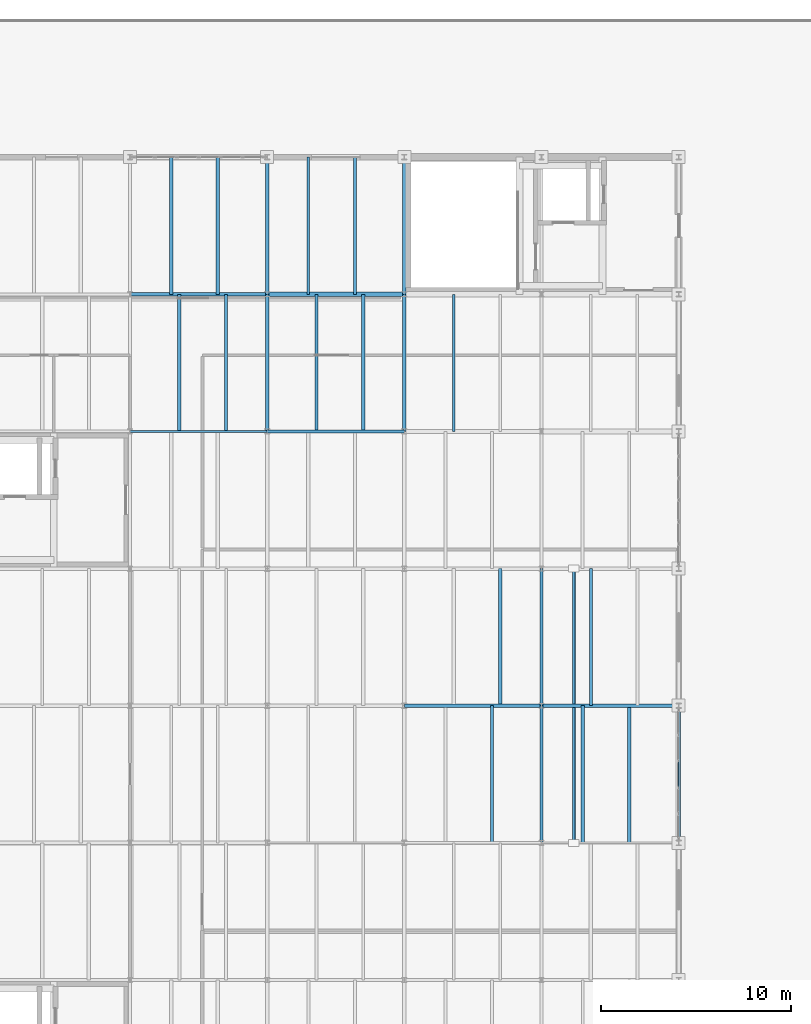
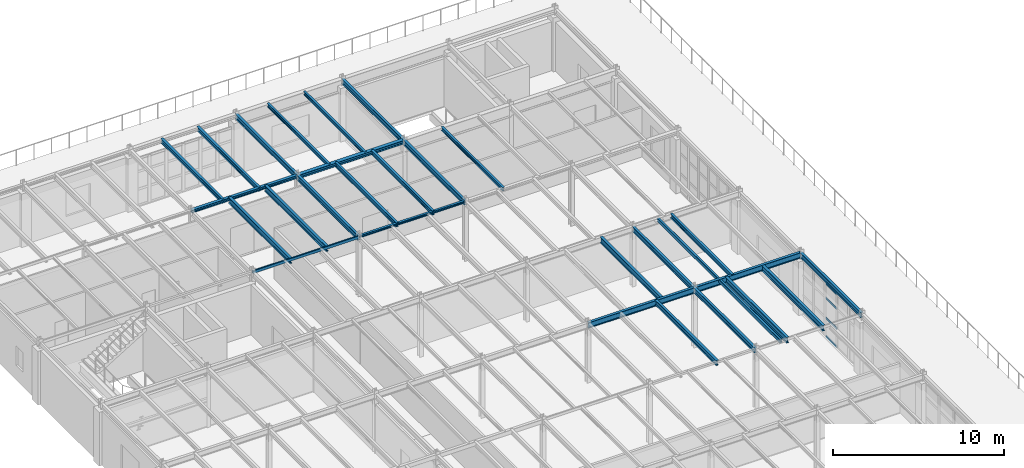
# One storey, part 21 of 36: 28 beams, 4 members, 1 element without a shape of its own.
"""IFC4 building model written with IfcOpenShell, lengths in metres."""

from ifc_helpers import new_model, si_unit, direction, frame, origin, origin_2d, place, context, subcontext, project, spatial, hollow_rectangle, i_section, extrude, material, layer, layer_set, material_profile, profile_set, type_object, element, aggregate, save


model = new_model("IFC4")

# Units and contexts
model_context = context("Model", 3, precision=1e-05, world=origin(), true_north=direction((0.0, 1.0)))
body_context = subcontext(model_context, "Body", "Model", "MODEL_VIEW")
ifc_project = project(units=[si_unit("LENGTHUNIT", "METRE"), si_unit("AREAUNIT", "SQUARE_METRE"), si_unit("VOLUMEUNIT", "CUBIC_METRE"), si_unit("PLANEANGLEUNIT", "RADIAN"), si_unit("MASSUNIT", "GRAM", prefix="KILO")], contexts=[model_context])

# Site, building, storey
site_placement = place(None, origin())
site = spatial("IfcSite", under=ifc_project, at=site_placement, CompositionType="ELEMENT")
building_placement = place(site_placement, origin())
building = spatial("IfcBuilding", under=site, at=building_placement, Name="Kemerveld Promenade Tramway Depot", CompositionType="ELEMENT")
storey_placement = place(building_placement, frame((0.0, 0.0, 14.39990234375)))
storey = spatial("IfcBuildingStorey", under=building, at=storey_placement, Name="L03", CompositionType="ELEMENT", Elevation=14.39990234375)

# Beams
ifc_material_1 = material(Name="Steel S355", Category="steel")
ifc_material_profile_1 = material_profile(ifc_material_1, i_section(OverallWidth=0.1787109375, OverallDepth=0.409423828125, WebThickness=0.0087890625, FlangeThickness=0.014404296875, FilletRadius=0.01025390625, at=origin_2d()), Name="406x178x67 UB")
ifc_profile_set_1 = profile_set([ifc_material_profile_1], Name="Steel S355")
beam_type_1 = type_object("IfcBeamType", Name="BM-G07", PredefinedType="BEAM", material=ifc_profile_set_1)
for number, where, z_axis, x_axis, name in (
    (1, (28.800048828125, 36.0, 4.080322265625), (1.0, 0.0, 0.0), (0.0, 1.0, 0.0), "BMX-L03-05-06-F"),
    (2, (36.0, 36.0, 4.080322265625), (1.0, 0.0, 0.0), (0.0, 1.0, 0.0), "BMX-L03-06-07-F"),
):
    element("IfcBeam", number, at=place(storey_placement, frame(where, z_axis=z_axis, x_axis=x_axis)), inside=storey, type_object=beam_type_1, Name=name, PredefinedType="BEAM", context=body_context, shape_type="SweptSolid", body=[
        extrude(i_section(OverallWidth=0.1787109375, OverallDepth=0.409423828125, WebThickness=0.0087890625, FlangeThickness=0.014404296875, FilletRadius=0.01025390625, at=origin_2d()), origin(), (0.0, 0.0, 1.0), 7.199951171875),
    ])
ifc_material_profile_2 = material_profile(ifc_material_1, i_section(OverallWidth=0.172119140625, OverallDepth=0.35791015625, WebThickness=0.008056640625, FlangeThickness=0.012939453125, FilletRadius=0.01025390625, at=origin_2d()), Name="356x171x57 UB")
ifc_profile_set_2 = profile_set([ifc_material_profile_2], Name="Steel S355")
beam_type_2 = type_object("IfcBeamType", Name="BM-G08", PredefinedType="BEAM", material=ifc_profile_set_2)
beam_1_placement = place(storey_placement, frame((21.60009765625, 50.39990234375, 4.106201171875), z_axis=(0.0, 1.0, 0.0), x_axis=(-1.0, 0.0, 0.0)))
element("IfcBeam", 3, at=beam_1_placement, inside=storey, type_object=beam_type_2, Name="BMY-L03-04-H-J", PredefinedType="BEAM", context=body_context, shape_type="SweptSolid", body=[
    extrude(i_section(OverallWidth=0.172119140625, OverallDepth=0.35791015625, WebThickness=0.008056640625, FlangeThickness=0.012939453125, FilletRadius=0.01025390625, at=origin_2d()), origin(), (0.0, 0.0, 1.0), 7.2001953125),
])
beam_2_placement = place(storey_placement, frame((21.60009765625, 57.60009765625, 4.106201171875), z_axis=(0.0, 1.0, 0.0), x_axis=(-1.0, 0.0, 0.0)))
element("IfcBeam", 4, at=beam_2_placement, inside=storey, type_object=beam_type_2, Name="BMY-L03-04-J-K", PredefinedType="BEAM", context=body_context, shape_type="SweptSolid", body=[
    extrude(i_section(OverallWidth=0.172119140625, OverallDepth=0.35791015625, WebThickness=0.008056640625, FlangeThickness=0.012939453125, FilletRadius=0.01025390625, at=origin_2d()), origin(), (0.0, 0.0, 1.0), 7.199951171875),
])
beam_3_placement = place(storey_placement, frame((28.800048828125, 50.39990234375, 4.106201171875), z_axis=(0.0, 1.0, 0.0), x_axis=(-1.0, 0.0, 0.0)))
element("IfcBeam", 5, at=beam_3_placement, inside=storey, type_object=beam_type_2, Name="BMY-L03-05-H-J", PredefinedType="BEAM", context=body_context, shape_type="SweptSolid", body=[
    extrude(i_section(OverallWidth=0.172119140625, OverallDepth=0.35791015625, WebThickness=0.008056640625, FlangeThickness=0.012939453125, FilletRadius=0.01025390625, at=origin_2d()), origin(), (0.0, 0.0, 1.0), 7.2001953125),
])
for number, where, z_axis, x_axis, name in (
    (6, (28.800048828125, 57.60009765625, 4.106201171875), (0.0, 1.0, 0.0), (-1.0, 0.0, 0.0), "BMY-L03-05-J-K"),
    (7, (36.0, 28.800048828125, 4.106201171875), (0.0, 1.0, 0.0), (-1.0, 0.0, 0.0), "BMY-L03-06-E-F"),
    (8, (36.0, 36.0, 4.106201171875), (0.0, 1.0, 0.0), (-1.0, 0.0, 0.0), "BMY-L03-06-F-G"),
    (9, (43.199951171875, 28.800048828125, 4.106201171875), (0.0, 1.0, 0.0), (-1.0, 0.0, 0.0), "BMY-L03-07-E-F"),
):
    element("IfcBeam", number, at=place(storey_placement, frame(where, z_axis=z_axis, x_axis=x_axis)), inside=storey, type_object=beam_type_2, Name=name, PredefinedType="BEAM", context=body_context, shape_type="SweptSolid", body=[
        extrude(i_section(OverallWidth=0.172119140625, OverallDepth=0.35791015625, WebThickness=0.008056640625, FlangeThickness=0.012939453125, FilletRadius=0.01025390625, at=origin_2d()), origin(), (0.0, 0.0, 1.0), 7.199951171875),
    ])
ifc_material_profile_3 = material_profile(ifc_material_1, i_section(OverallWidth=0.165771484375, OverallDepth=0.306640625, WebThickness=0.006591796875, FlangeThickness=0.01171875, FilletRadius=0.0087890625, at=origin_2d()), Name="305x165x46 UB")
ifc_profile_set_3 = profile_set([ifc_material_profile_3], Name="Steel S355")
beam_type_3 = type_object("IfcBeamType", Name="BM-J01", PredefinedType="JOIST", material=ifc_profile_set_3)
for number, where, z_axis, x_axis, name in (
    (10, (16.56005859375, 57.60009765625, 4.1318359375), (0.0, 1.0, 0.0), (-1.0, 0.0, 0.0), "JST-L03-03-J-1"),
    (11, (19.008056640625, 57.60009765625, 4.1318359375), (0.0, 1.0, 0.0), (-1.0, 0.0, 0.0), "JST-L03-03-J-2"),
):
    element("IfcBeam", number, at=place(storey_placement, frame(where, z_axis=z_axis, x_axis=x_axis)), inside=storey, type_object=beam_type_3, Name=name, PredefinedType="JOIST", context=body_context, shape_type="SweptSolid", body=[
        extrude(i_section(OverallWidth=0.165771484375, OverallDepth=0.306640625, WebThickness=0.006591796875, FlangeThickness=0.01171875, FilletRadius=0.0087890625, at=origin_2d()), origin(), (0.0, 0.0, 1.0), 7.199951171875),
    ])
for number, where, z_axis, x_axis, name in (
    (12, (24.19189453125, 50.39990234375, 4.1318359375), (0.0, 1.0, 0.0), (-1.0, 0.0, 0.0), "JST-L03-04-H-1"),
    (13, (26.639892578125, 50.39990234375, 4.1318359375), (0.0, 1.0, 0.0), (-1.0, 0.0, 0.0), "JST-L03-04-H-2"),
):
    element("IfcBeam", number, at=place(storey_placement, frame(where, z_axis=z_axis, x_axis=x_axis)), inside=storey, type_object=beam_type_3, Name=name, PredefinedType="JOIST", context=body_context, shape_type="SweptSolid", body=[
        extrude(i_section(OverallWidth=0.165771484375, OverallDepth=0.306640625, WebThickness=0.006591796875, FlangeThickness=0.01171875, FilletRadius=0.0087890625, at=origin_2d()), origin(), (0.0, 0.0, 1.0), 7.2001953125),
    ])
beam_4_placement = place(storey_placement, frame((38.592041015625, 36.0, 4.1318359375), z_axis=(0.0, 1.0, 0.0), x_axis=(-1.0, 0.0, 0.0)))
element("IfcBeam", 14, at=beam_4_placement, inside=storey, type_object=beam_type_3, Name="JST-L03-06-F-1", PredefinedType="JOIST", context=body_context, shape_type="SweptSolid", body=[
    extrude(i_section(OverallWidth=0.165771484375, OverallDepth=0.306640625, WebThickness=0.006591796875, FlangeThickness=0.01171875, FilletRadius=0.0087890625, at=origin_2d()), origin(), (0.0, 0.0, 1.0), 7.199951171875),
])
ifc_material_profile_4 = material_profile(ifc_material_1, i_section(OverallWidth=0.146484375, OverallDepth=0.256103515625, WebThickness=0.00634765625, FlangeThickness=0.010986328125, FilletRadius=0.007568359375, at=origin_2d()), Name="254x146x37 UB")
ifc_profile_set_4 = profile_set([ifc_material_profile_4], Name="Steel S355")
beam_type_4 = type_object("IfcBeamType", Name="BM-J02", PredefinedType="JOIST", material=ifc_profile_set_4)
for number, where, z_axis, x_axis, name in (
    (15, (23.760009765625, 57.60009765625, 4.156982421875), (0.0, 1.0, 0.0), (-1.0, 0.0, 0.0), "JST-L03-04-J-1"),
    (16, (26.2080078125, 57.60009765625, 4.156982421875), (0.0, 1.0, 0.0), (-1.0, 0.0, 0.0), "JST-L03-04-J-2"),
):
    element("IfcBeam", number, at=place(storey_placement, frame(where, z_axis=z_axis, x_axis=x_axis)), inside=storey, type_object=beam_type_4, Name=name, PredefinedType="JOIST", context=body_context, shape_type="SweptSolid", body=[
        extrude(i_section(OverallWidth=0.146484375, OverallDepth=0.256103515625, WebThickness=0.00634765625, FlangeThickness=0.010986328125, FilletRadius=0.007568359375, at=origin_2d()), origin(), (0.0, 0.0, 1.0), 7.199951171875),
    ])
beam_5_placement = place(storey_placement, frame((31.39208984375, 50.39990234375, 4.156982421875), z_axis=(0.0, 1.0, 0.0), x_axis=(-1.0, 0.0, 0.0)))
element("IfcBeam", 17, at=beam_5_placement, inside=storey, type_object=beam_type_4, Name="JST-L03-05-H-1", PredefinedType="JOIST", context=body_context, shape_type="SweptSolid", body=[
    extrude(i_section(OverallWidth=0.146484375, OverallDepth=0.256103515625, WebThickness=0.00634765625, FlangeThickness=0.010986328125, FilletRadius=0.007568359375, at=origin_2d()), origin(), (0.0, 0.0, 1.0), 7.2001953125),
])
ifc_material_profile_5 = material_profile(ifc_material_1, i_section(OverallWidth=0.172119140625, OverallDepth=0.35791015625, WebThickness=0.008056640625, FlangeThickness=0.012939453125, FilletRadius=0.01025390625, at=origin_2d()), Name="356x171x57 UB")
ifc_profile_set_5 = profile_set([ifc_material_profile_5], Name="Steel S355")
beam_type_5 = type_object("IfcBeamType", Name="BM-J04", PredefinedType="JOIST", material=ifc_profile_set_5)
beam_6_placement = place(storey_placement, frame((33.407958984375, 28.800048828125, 4.106201171875), z_axis=(0.0, 1.0, 0.0), x_axis=(-1.0, 0.0, 0.0)))
element("IfcBeam", 18, at=beam_6_placement, inside=storey, type_object=beam_type_5, Name="JST-L03-05-E-2", PredefinedType="JOIST", context=body_context, shape_type="SweptSolid", body=[
    extrude(i_section(OverallWidth=0.172119140625, OverallDepth=0.35791015625, WebThickness=0.008056640625, FlangeThickness=0.012939453125, FilletRadius=0.01025390625, at=origin_2d()), origin(), (0.0, 0.0, 1.0), 7.199951171875),
])
ifc_material_profile_6 = material_profile(ifc_material_1, i_section(OverallWidth=0.1787109375, OverallDepth=0.409423828125, WebThickness=0.0087890625, FlangeThickness=0.014404296875, FilletRadius=0.01025390625, at=origin_2d()), Name="406x178x67 UB")
ifc_profile_set_6 = profile_set([ifc_material_profile_6], Name="Steel S355")
beam_type_6 = type_object("IfcBeamType", Name="BM-J05", PredefinedType="JOIST", material=ifc_profile_set_6)
for number, where, z_axis, x_axis, name in (
    (19, (16.991943359375, 50.39990234375, 4.080322265625), (0.0, 1.0, 0.0), (-1.0, 0.0, 0.0), "JST-L03-03-H-1"),
    (20, (19.43994140625, 50.39990234375, 4.080322265625), (0.0, 1.0, 0.0), (-1.0, 0.0, 0.0), "JST-L03-03-H-2"),
):
    element("IfcBeam", number, at=place(storey_placement, frame(where, z_axis=z_axis, x_axis=x_axis)), inside=storey, type_object=beam_type_6, Name=name, PredefinedType="JOIST", context=body_context, shape_type="SweptSolid", body=[
        extrude(i_section(OverallWidth=0.1787109375, OverallDepth=0.409423828125, WebThickness=0.0087890625, FlangeThickness=0.014404296875, FilletRadius=0.01025390625, at=origin_2d()), origin(), (0.0, 0.0, 1.0), 7.2001953125),
    ])
for number, where, z_axis, x_axis, name in (
    (21, (33.840087890625, 36.0, 4.080322265625), (0.0, 1.0, 0.0), (-1.0, 0.0, 0.0), "JST-L03-05-F-2"),
    (22, (38.159912109375, 28.800048828125, 4.080322265625), (0.0, 1.0, 0.0), (-1.0, 0.0, 0.0), "JST-L03-06-E-1"),
    (23, (40.60791015625, 28.800048828125, 4.080322265625), (0.0, 1.0, 0.0), (-1.0, 0.0, 0.0), "JST-L03-06-E-2"),
):
    element("IfcBeam", number, at=place(storey_placement, frame(where, z_axis=z_axis, x_axis=x_axis)), inside=storey, type_object=beam_type_6, Name=name, PredefinedType="JOIST", context=body_context, shape_type="SweptSolid", body=[
        extrude(i_section(OverallWidth=0.1787109375, OverallDepth=0.409423828125, WebThickness=0.0087890625, FlangeThickness=0.014404296875, FilletRadius=0.01025390625, at=origin_2d()), origin(), (0.0, 0.0, 1.0), 7.199951171875),
    ])
ifc_material_profile_7 = material_profile(ifc_material_1, hollow_rectangle(XDim=0.10009765625, YDim=0.199951171875, WallThickness=0.008056640625, InnerFilletRadius=0.00390625, OuterFilletRadius=0.011962890625, at=origin_2d()), Name="200x100x8.0 RHS")
ifc_profile_set_7 = profile_set([ifc_material_profile_7], Name="Steel S355")
beam_type_7 = type_object("IfcBeamType", Name="BM-LN1", PredefinedType="LINTEL", material=ifc_profile_set_7)
beam_7_placement = place(storey_placement, frame((14.39990234375, 50.39990234375, 4.18017578125), z_axis=(1.0, 0.0, 0.0), x_axis=(0.0, 1.0, 0.0)))
element("IfcBeam", 24, at=beam_7_placement, inside=storey, type_object=beam_type_7, Name="BMX-L03-03-04-H", PredefinedType="LINTEL", context=body_context, shape_type="SweptSolid", body=[
    extrude(hollow_rectangle(XDim=0.10009765625, YDim=0.199951171875, WallThickness=0.008056640625, InnerFilletRadius=0.00390625, OuterFilletRadius=0.011962890625, at=origin_2d()), origin(), (0.0, 0.0, 1.0), 7.2001953125),
])
ifc_material_profile_8 = material_profile(ifc_material_1, i_section(OverallWidth=0.154296875, OverallDepth=0.161865234375, WebThickness=0.008056640625, FlangeThickness=0.011474609375, FilletRadius=0.007568359375, at=origin_2d()), Name="152x152x37 UC")
ifc_profile_set_8 = profile_set([ifc_material_profile_8], Name="Steel S355")
beam_type_8 = type_object("IfcBeamType", Name="BM-LN2", PredefinedType="LINTEL", material=ifc_profile_set_8)
beam_8_placement = place(storey_placement, frame((21.60009765625, 50.39990234375, 4.2041015625), z_axis=(1.0, 0.0, 0.0), x_axis=(0.0, 1.0, 0.0)))
element("IfcBeam", 25, at=beam_8_placement, inside=storey, type_object=beam_type_8, Name="BMX-L03-04-05-H", PredefinedType="LINTEL", context=body_context, shape_type="SweptSolid", body=[
    extrude(i_section(OverallWidth=0.154296875, OverallDepth=0.161865234375, WebThickness=0.008056640625, FlangeThickness=0.011474609375, FilletRadius=0.007568359375, at=origin_2d()), origin(), (0.0, 0.0, 1.0), 7.199951171875),
])
ifc_material_profile_9 = material_profile(ifc_material_1, i_section(OverallWidth=0.205810546875, OverallDepth=0.209716796875, WebThickness=0.009521484375, FlangeThickness=0.01416015625, FilletRadius=0.01025390625, at=origin_2d()), Name="203x203x60 UC")
ifc_profile_set_9 = profile_set([ifc_material_profile_9], Name="Steel S355")
beam_type_9 = type_object("IfcBeamType", Name="BM-LN3", PredefinedType="LINTEL", material=ifc_profile_set_9)
beam_9_placement = place(storey_placement, frame((14.39990234375, 57.60009765625, 4.18017578125), z_axis=(1.0, 0.0, 0.0), x_axis=(0.0, 1.0, 0.0)))
element("IfcBeam", 26, at=beam_9_placement, inside=storey, type_object=beam_type_9, Name="BMX-L03-03-04-J", PredefinedType="LINTEL", context=body_context, shape_type="SweptSolid", body=[
    extrude(i_section(OverallWidth=0.205810546875, OverallDepth=0.209716796875, WebThickness=0.009521484375, FlangeThickness=0.01416015625, FilletRadius=0.01025390625, at=origin_2d()), origin(), (0.0, 0.0, 1.0), 7.2001953125),
])
ifc_material_profile_10 = material_profile(ifc_material_1, i_section(OverallWidth=0.25634765625, OverallDepth=0.26025390625, WebThickness=0.01025390625, FlangeThickness=0.017333984375, FilletRadius=0.0126953125, at=origin_2d()), Name="254x254x89 UC")
ifc_profile_set_10 = profile_set([ifc_material_profile_10], Name="Steel S355")
beam_type_10 = type_object("IfcBeamType", Name="BM-LN4", PredefinedType="LINTEL", material=ifc_profile_set_10)
beam_10_placement = place(storey_placement, frame((21.60009765625, 57.60009765625, 4.15478515625), z_axis=(1.0, 0.0, 0.0), x_axis=(0.0, 1.0, 0.0)))
element("IfcBeam", 27, at=beam_10_placement, inside=storey, type_object=beam_type_10, Name="BMX-L03-04-05-J", PredefinedType="LINTEL", context=body_context, shape_type="SweptSolid", body=[
    extrude(i_section(OverallWidth=0.25634765625, OverallDepth=0.26025390625, WebThickness=0.01025390625, FlangeThickness=0.017333984375, FilletRadius=0.0126953125, at=origin_2d()), origin(), (0.0, 0.0, 1.0), 7.199951171875),
])
ifc_material_profile_11 = material_profile(ifc_material_1, hollow_rectangle(XDim=0.14990234375, YDim=0.25, WallThickness=0.010009765625, InnerFilletRadius=0.0048828125, OuterFilletRadius=0.014892578125, at=origin_2d()), Name="250x150x10.0 RHS")
ifc_profile_set_11 = profile_set([ifc_material_profile_11], Name="Steel S355")
beam_type_11 = type_object("IfcBeamType", Name="BM-SP2", PredefinedType="SPANDREL", material=ifc_profile_set_11)
beam_11_placement = place(storey_placement, frame((37.699951171875, 28.800048828125, 4.155029296875), z_axis=(0.0, 1.0, 0.0), x_axis=(-1.0, 0.0, 0.0)))
element("IfcBeam", 28, at=beam_11_placement, inside=storey, type_object=beam_type_11, Name="BM-CUMBA-EDGE", PredefinedType="SPANDREL", context=body_context, shape_type="SweptSolid", body=[
    extrude(hollow_rectangle(XDim=0.14990234375, YDim=0.25, WallThickness=0.010009765625, InnerFilletRadius=0.0048828125, OuterFilletRadius=0.014892578125, at=origin_2d()), origin(), (0.0, 0.0, 1.0), 14.39990234375),
])

# Curtain wall, members
ifc_material_2 = material(Name="Bronze anodised aluminium and solar glass", Category="aluminium")
ifc_layer = layer(ifc_material_2, 0.199951171875)
ifc_layer_set = layer_set([ifc_layer], Name="CW-SYS-08")
curtain_wall_type = type_object("IfcCurtainWallType", Name="CW-SYS-08", PredefinedType="USERDEFINED", material=ifc_layer_set)
curtain_wall_placement = place(storey_placement, origin())
curtain_wall = element("IfcCurtainWall", 29, at=curtain_wall_placement, inside=storey, type_object=curtain_wall_type, Name="CW-L03-V5E-05", ObjectType="GLAZED_CURTAIN_WALL", PredefinedType="USERDEFINED")
ifc_material_3 = material(Name="Bronze anodised aluminium", Category="aluminium")
ifc_material_profile_12 = material_profile(ifc_material_3, hollow_rectangle(XDim=0.06494140625, YDim=0.14990234375, WallThickness=0.00439453125, InnerFilletRadius=0.001953125, OuterFilletRadius=0.00439453125, at=origin_2d()), Name="CW-TRN-150x65")
ifc_profile_set_12 = profile_set([ifc_material_profile_12], Name="Bronze anodised aluminium")
member_type = type_object("IfcMemberType", Name="CW-TRN-B", PredefinedType="USERDEFINED", material=ifc_profile_set_12)
member_1_placement = place(storey_placement, frame((43.199951171875, 33.052490234375, 0.03271484375), z_axis=(0.0, -1.0, 0.0), x_axis=(1.0, 0.0, 0.0)))
member_1 = element("IfcMember", 30, at=member_1_placement, type_object=member_type, Name="CW08 transom 3.1", ObjectType="TRANSOM", PredefinedType="USERDEFINED", context=body_context, shape_type="SweptSolid", body=[
    extrude(hollow_rectangle(XDim=0.06494140625, YDim=0.14990234375, WallThickness=0.00439453125, InnerFilletRadius=0.001953125, OuterFilletRadius=0.00439453125, at=origin_2d()), origin(), (0.0, 0.0, 1.0), 1.304931640625),
])
member_2_placement = place(storey_placement, frame((43.199951171875, 33.052490234375, 1.34814453125), z_axis=(0.0, -1.0, 0.0), x_axis=(1.0, 0.0, 0.0)))
member_2 = element("IfcMember", 31, at=member_2_placement, type_object=member_type, Name="CW08 transom 3.2", ObjectType="TRANSOM", PredefinedType="USERDEFINED", context=body_context, shape_type="SweptSolid", body=[
    extrude(hollow_rectangle(XDim=0.06494140625, YDim=0.14990234375, WallThickness=0.00439453125, InnerFilletRadius=0.001953125, OuterFilletRadius=0.00439453125, at=origin_2d()), origin(), (0.0, 0.0, 1.0), 1.304931640625),
])
member_3_placement = place(storey_placement, frame((43.199951171875, 33.052490234375, 2.772216796875), z_axis=(0.0, -1.0, 0.0), x_axis=(1.0, 0.0, 0.0)))
member_3 = element("IfcMember", 32, at=member_3_placement, type_object=member_type, Name="CW08 transom 3.3", ObjectType="TRANSOM", PredefinedType="USERDEFINED", context=body_context, shape_type="SweptSolid", body=[
    extrude(hollow_rectangle(XDim=0.06494140625, YDim=0.14990234375, WallThickness=0.00439453125, InnerFilletRadius=0.001953125, OuterFilletRadius=0.00439453125, at=origin_2d()), origin(), (0.0, 0.0, 1.0), 1.304931640625),
])
member_4_placement = place(storey_placement, frame((43.199951171875, 33.052490234375, 3.817626953125), z_axis=(0.0, -1.0, 0.0), x_axis=(1.0, 0.0, 0.0)))
member_4 = element("IfcMember", 33, at=member_4_placement, type_object=member_type, Name="CW08 transom 3.4", ObjectType="TRANSOM", PredefinedType="USERDEFINED", context=body_context, shape_type="SweptSolid", body=[
    extrude(hollow_rectangle(XDim=0.06494140625, YDim=0.14990234375, WallThickness=0.00439453125, InnerFilletRadius=0.001953125, OuterFilletRadius=0.00439453125, at=origin_2d()), origin(), (0.0, 0.0, 1.0), 1.304931640625),
])
aggregate(curtain_wall, [member_1, member_2, member_3, member_4])

save(model, "model.ifc")
